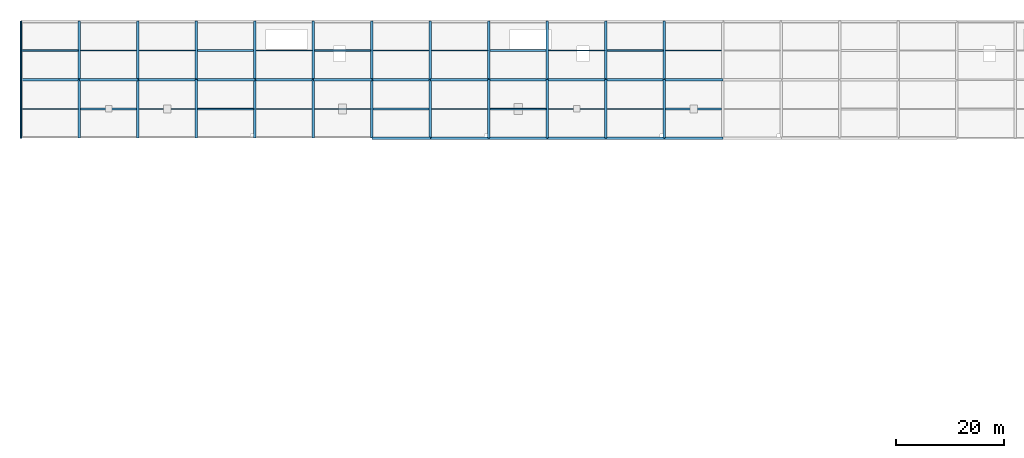
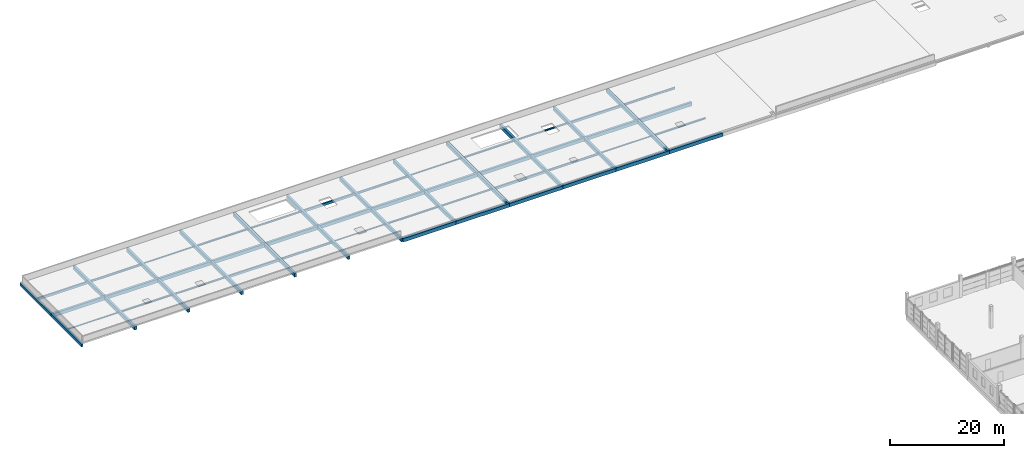
# One storey, part 2 of 24: 66 beams.
"""IFC4 building model written with IfcOpenShell, lengths in metres."""

from ifc_helpers import new_model, si_unit, direction, frame, origin, origin_2d, place, context, subcontext, project, spatial, rectangle, i_section, extrude, material, material_profile, profile_set, type_object, element, save


model = new_model("IFC4")

# Units and contexts
model_context = context("Model", 3, precision=1e-05, world=origin(), true_north=direction((0.0, 1.0)))
body_context = subcontext(model_context, "Body", "Model", "MODEL_VIEW")
ifc_project = project(units=[si_unit("LENGTHUNIT", "METRE"), si_unit("AREAUNIT", "SQUARE_METRE"), si_unit("VOLUMEUNIT", "CUBIC_METRE"), si_unit("PLANEANGLEUNIT", "RADIAN"), si_unit("MASSUNIT", "GRAM", prefix="KILO")], contexts=[model_context])

# Site, building, storey
site_placement = place(None, origin())
site = spatial("IfcSite", under=ifc_project, at=site_placement, CompositionType="ELEMENT")
building_placement = place(site_placement, origin())
building = spatial("IfcBuilding", under=site, at=building_placement, Name="Zwinboog Wholesale Market", CompositionType="ELEMENT")
storey_placement = place(building_placement, frame((0.0, 0.0, 10.080078125)))
storey = spatial("IfcBuildingStorey", under=building, at=storey_placement, Name="L02", CompositionType="ELEMENT", Elevation=10.080078125)

# Beams
ifc_material_1 = material(Name="Precast concrete C45/55", Category="concrete")
ifc_material_profile_1 = material_profile(ifc_material_1, rectangle(XDim=0.449951171875, YDim=0.75, at=origin_2d()), Name="PC 450x750")
ifc_profile_set_1 = profile_set([ifc_material_profile_1], Name="Precast concrete C45/55")
beam_type_1 = type_object("IfcBeamType", Name="BT-04", PredefinedType="BEAM", material=ifc_profile_set_1)
beam_1_placement = place(storey_placement, frame((64.800048828125, 108.0, -0.671142578125), z_axis=(1.0, 0.0, 0.0), x_axis=(0.0, 1.0, 0.0)))
element("IfcBeam", 1, at=beam_1_placement, inside=storey, type_object=beam_type_1, Name="BG-04 (BM-TER-L02-0073)", PredefinedType="BEAM", context=body_context, shape_type="SweptSolid", body=[
    extrude(rectangle(XDim=0.449951171875, YDim=0.75, at=origin_2d()), origin(), (0.0, 0.0, 1.0), 10.800048828125),
])
beam_2_placement = place(storey_placement, frame((75.60009765625, 108.0, -0.671142578125), z_axis=(1.0, 0.0, 0.0), x_axis=(0.0, 1.0, 0.0)))
element("IfcBeam", 2, at=beam_2_placement, inside=storey, type_object=beam_type_1, Name="BG-04 (BM-TER-L02-0074)", PredefinedType="BEAM", context=body_context, shape_type="SweptSolid", body=[
    extrude(rectangle(XDim=0.449951171875, YDim=0.75, at=origin_2d()), origin(), (0.0, 0.0, 1.0), 10.7998046875),
])
for number, where, z_axis, x_axis, name in (
    (3, (86.39990234375, 108.0, -0.671142578125), (1.0, 0.0, 0.0), (0.0, 1.0, 0.0), "BG-04 (BM-TER-L02-0075)"),
    (4, (97.199951171875, 108.0, -0.649169921875), (1.0, 0.0, 0.0), (0.0, 1.0, 0.0), "BG-04 (BM-TER-L02-0076)"),
    (5, (108.0, 108.0, -0.671142578125), (1.0, 0.0, 0.0), (0.0, 1.0, 0.0), "BG-04 (BM-TER-L02-0077)"),
    (6, (118.800048828125, 108.0, -0.671142578125), (1.0, 0.0, 0.0), (0.0, 1.0, 0.0), "BG-04 (BM-TER-L02-0078)"),
    (7, (0.0, 118.800048828125, -0.649169921875), (1.0, 0.0, 0.0), (0.0, 1.0, 0.0), "BG-04 (BM-TER-L02-0087)"),
    (8, (10.800048828125, 118.800048828125, -0.649169921875), (1.0, 0.0, 0.0), (0.0, 1.0, 0.0), "BG-04 (BM-TER-L02-0088)"),
):
    element("IfcBeam", number, at=place(storey_placement, frame(where, z_axis=z_axis, x_axis=x_axis)), inside=storey, type_object=beam_type_1, Name=name, PredefinedType="BEAM", context=body_context, shape_type="SweptSolid", body=[
        extrude(rectangle(XDim=0.449951171875, YDim=0.75, at=origin_2d()), origin(), (0.0, 0.0, 1.0), 10.800048828125),
    ])
beam_3_placement = place(storey_placement, frame((21.60009765625, 118.800048828125, -0.649169921875), z_axis=(1.0, 0.0, 0.0), x_axis=(0.0, 1.0, 0.0)))
element("IfcBeam", 9, at=beam_3_placement, inside=storey, type_object=beam_type_1, Name="BG-04 (BM-TER-L02-0089)", PredefinedType="BEAM", context=body_context, shape_type="SweptSolid", body=[
    extrude(rectangle(XDim=0.449951171875, YDim=0.75, at=origin_2d()), origin(), (0.0, 0.0, 1.0), 10.7998046875),
])
for number, where, z_axis, x_axis, name in (
    (10, (32.39990234375, 118.800048828125, -0.671142578125), (1.0, 0.0, 0.0), (0.0, 1.0, 0.0), "BG-04 (BM-TER-L02-0090)"),
    (11, (43.199951171875, 118.800048828125, -0.671142578125), (1.0, 0.0, 0.0), (0.0, 1.0, 0.0), "BG-04 (BM-TER-L02-0091)"),
    (12, (54.0, 118.800048828125, -0.671142578125), (1.0, 0.0, 0.0), (0.0, 1.0, 0.0), "BG-04 (BM-TER-L02-0092)"),
    (13, (64.800048828125, 118.800048828125, -0.671142578125), (1.0, 0.0, 0.0), (0.0, 1.0, 0.0), "BG-04 (BM-TER-L02-0093)"),
):
    element("IfcBeam", number, at=place(storey_placement, frame(where, z_axis=z_axis, x_axis=x_axis)), inside=storey, type_object=beam_type_1, Name=name, PredefinedType="BEAM", context=body_context, shape_type="SweptSolid", body=[
        extrude(rectangle(XDim=0.449951171875, YDim=0.75, at=origin_2d()), origin(), (0.0, 0.0, 1.0), 10.800048828125),
    ])
beam_4_placement = place(storey_placement, frame((75.60009765625, 118.800048828125, -0.671142578125), z_axis=(1.0, 0.0, 0.0), x_axis=(0.0, 1.0, 0.0)))
element("IfcBeam", 14, at=beam_4_placement, inside=storey, type_object=beam_type_1, Name="BG-04 (BM-TER-L02-0094)", PredefinedType="BEAM", context=body_context, shape_type="SweptSolid", body=[
    extrude(rectangle(XDim=0.449951171875, YDim=0.75, at=origin_2d()), origin(), (0.0, 0.0, 1.0), 10.7998046875),
])
for number, where, z_axis, x_axis, name in (
    (15, (86.39990234375, 118.800048828125, -0.671142578125), (1.0, 0.0, 0.0), (0.0, 1.0, 0.0), "BG-04 (BM-TER-L02-0095)"),
    (16, (97.199951171875, 118.800048828125, -0.649169921875), (1.0, 0.0, 0.0), (0.0, 1.0, 0.0), "BG-04 (BM-TER-L02-0096)"),
    (17, (108.0, 118.800048828125, -0.671142578125), (1.0, 0.0, 0.0), (0.0, 1.0, 0.0), "BG-04 (BM-TER-L02-0097)"),
    (18, (118.800048828125, 118.800048828125, -0.671142578125), (1.0, 0.0, 0.0), (0.0, 1.0, 0.0), "BG-04 (BM-TER-L02-0098)"),
    (19, (10.800048828125, 108.0, -0.649169921875), (0.0, 1.0, 0.0), (-1.0, 0.0, 0.0), "BG-04 (BM-TER-L02-0129)"),
    (20, (10.800048828125, 118.800048828125, -0.649169921875), (0.0, 1.0, 0.0), (-1.0, 0.0, 0.0), "BG-04 (BM-TER-L02-0130)"),
    (21, (21.60009765625, 108.0, -0.649169921875), (0.0, 1.0, 0.0), (-1.0, 0.0, 0.0), "BG-04 (BM-TER-L02-0131)"),
    (22, (21.60009765625, 118.800048828125, -0.649169921875), (0.0, 1.0, 0.0), (-1.0, 0.0, 0.0), "BG-04 (BM-TER-L02-0132)"),
    (23, (32.39990234375, 108.0, -0.649169921875), (0.0, 1.0, 0.0), (-1.0, 0.0, 0.0), "BG-04 (BM-TER-L02-0133)"),
    (24, (32.39990234375, 118.800048828125, -0.649169921875), (0.0, 1.0, 0.0), (-1.0, 0.0, 0.0), "BG-04 (BM-TER-L02-0134)"),
    (25, (43.199951171875, 108.0, -0.671142578125), (0.0, 1.0, 0.0), (-1.0, 0.0, 0.0), "BG-04 (BM-TER-L02-0135)"),
    (26, (43.199951171875, 118.800048828125, -0.671142578125), (0.0, 1.0, 0.0), (-1.0, 0.0, 0.0), "BG-04 (BM-TER-L02-0136)"),
    (27, (54.0, 108.0, -0.671142578125), (0.0, 1.0, 0.0), (-1.0, 0.0, 0.0), "BG-04 (BM-TER-L02-0137)"),
    (28, (54.0, 118.800048828125, -0.671142578125), (0.0, 1.0, 0.0), (-1.0, 0.0, 0.0), "BG-04 (BM-TER-L02-0138)"),
    (29, (64.800048828125, 108.0, -0.671142578125), (0.0, 1.0, 0.0), (-1.0, 0.0, 0.0), "BG-04 (BM-TER-L02-0139)"),
    (30, (64.800048828125, 118.800048828125, -0.671142578125), (0.0, 1.0, 0.0), (-1.0, 0.0, 0.0), "BG-04 (BM-TER-L02-0140)"),
    (31, (75.60009765625, 108.0, -0.671142578125), (0.0, 1.0, 0.0), (-1.0, 0.0, 0.0), "BG-04 (BM-TER-L02-0141)"),
    (32, (75.60009765625, 118.800048828125, -0.671142578125), (0.0, 1.0, 0.0), (-1.0, 0.0, 0.0), "BG-04 (BM-TER-L02-0142)"),
    (33, (86.39990234375, 108.0, -0.671142578125), (0.0, 1.0, 0.0), (-1.0, 0.0, 0.0), "BG-04 (BM-TER-L02-0143)"),
    (34, (86.39990234375, 118.800048828125, -0.671142578125), (0.0, 1.0, 0.0), (-1.0, 0.0, 0.0), "BG-04 (BM-TER-L02-0144)"),
    (35, (97.199951171875, 108.0, -0.649169921875), (0.0, 1.0, 0.0), (-1.0, 0.0, 0.0), "BG-04 (BM-TER-L02-0145)"),
    (36, (97.199951171875, 118.800048828125, -0.649169921875), (0.0, 1.0, 0.0), (-1.0, 0.0, 0.0), "BG-04 (BM-TER-L02-0146)"),
    (37, (108.0, 108.0, -0.649169921875), (0.0, 1.0, 0.0), (-1.0, 0.0, 0.0), "BG-04 (BM-TER-L02-0147)"),
    (38, (108.0, 118.800048828125, -0.649169921875), (0.0, 1.0, 0.0), (-1.0, 0.0, 0.0), "BG-04 (BM-TER-L02-0148)"),
    (39, (118.800048828125, 108.0, -0.671142578125), (0.0, 1.0, 0.0), (-1.0, 0.0, 0.0), "BG-04 (BM-TER-L02-0149)"),
    (40, (118.800048828125, 118.800048828125, -0.671142578125), (0.0, 1.0, 0.0), (-1.0, 0.0, 0.0), "BG-04 (BM-TER-L02-0150)"),
):
    element("IfcBeam", number, at=place(storey_placement, frame(where, z_axis=z_axis, x_axis=x_axis)), inside=storey, type_object=beam_type_1, Name=name, PredefinedType="BEAM", context=body_context, shape_type="SweptSolid", body=[
        extrude(rectangle(XDim=0.449951171875, YDim=0.75, at=origin_2d()), origin(), (0.0, 0.0, 1.0), 10.800048828125),
    ])
ifc_material_profile_2 = material_profile(ifc_material_1, rectangle(XDim=0.300048828125, YDim=0.60009765625, at=origin_2d()), Name="PC 300x600")
ifc_profile_set_2 = profile_set([ifc_material_profile_2], Name="Precast concrete C45/55")
beam_type_2 = type_object("IfcBeamType", Name="BT-09", PredefinedType="SPANDREL", material=ifc_profile_set_2)
for number, where, z_axis, x_axis, name in (
    (41, (0.0, 108.0, -0.573974609375), (0.0, 1.0, 0.0), (-1.0, 0.0, 0.0), "SP-02 (BM-TER-L02-0127)"),
    (42, (0.0, 118.800048828125, -0.573974609375), (0.0, 1.0, 0.0), (-1.0, 0.0, 0.0), "SP-02 (BM-TER-L02-0128)"),
):
    element("IfcBeam", number, at=place(storey_placement, frame(where, z_axis=z_axis, x_axis=x_axis)), inside=storey, type_object=beam_type_2, Name=name, PredefinedType="SPANDREL", context=body_context, shape_type="SweptSolid", body=[
        extrude(rectangle(XDim=0.300048828125, YDim=0.60009765625, at=origin_2d()), origin(), (0.0, 0.0, 1.0), 10.800048828125),
    ])
ifc_material_profile_3 = material_profile(ifc_material_1, rectangle(XDim=0.300048828125, YDim=0.5, at=origin_2d()), Name="PC 300x500")
ifc_profile_set_3 = profile_set([ifc_material_profile_3], Name="Precast concrete C45/55")
beam_type_3 = type_object("IfcBeamType", Name="BT-10", PredefinedType="JOIST", material=ifc_profile_set_3)
beam_5_placement = place(storey_placement, frame((0.14990234375, 124.199951171875, -0.524169921875), z_axis=(1.0, 0.0, 0.0), x_axis=(0.0, 1.0, 0.0)))
element("IfcBeam", 43, at=beam_5_placement, inside=storey, type_object=beam_type_3, Name="BJ-01 (BM-TER-L02-0176)", PredefinedType="JOIST", context=body_context, shape_type="SweptSolid", body=[
    extrude(rectangle(XDim=0.300048828125, YDim=0.5, at=origin_2d()), origin(), (0.0, 0.0, 1.0), 10.425048828125),
])
beam_6_placement = place(storey_placement, frame((32.625, 113.39990234375, -0.546142578125), z_axis=(1.0, 0.0, 0.0), x_axis=(0.0, 1.0, 0.0)))
element("IfcBeam", 44, at=beam_6_placement, inside=storey, type_object=beam_type_3, Name="BJ-01 (BM-TER-L02-0181)", PredefinedType="JOIST", context=body_context, shape_type="SweptSolid", body=[
    extrude(rectangle(XDim=0.300048828125, YDim=0.5, at=origin_2d()), origin(), (0.0, 0.0, 1.0), 10.35009765625),
])
beam_7_placement = place(storey_placement, frame((54.22509765625, 124.199951171875, -0.546142578125), z_axis=(1.0, 0.0, 0.0), x_axis=(0.0, 1.0, 0.0)))
element("IfcBeam", 45, at=beam_7_placement, inside=storey, type_object=beam_type_3, Name="BJ-01 (BM-TER-L02-0186)", PredefinedType="JOIST", context=body_context, shape_type="SweptSolid", body=[
    extrude(rectangle(XDim=0.300048828125, YDim=0.5, at=origin_2d()), origin(), (0.0, 0.0, 1.0), 10.349853515625),
])
beam_8_placement = place(storey_placement, frame((86.625, 113.39990234375, -0.546142578125), z_axis=(1.0, 0.0, 0.0), x_axis=(0.0, 1.0, 0.0)))
element("IfcBeam", 46, at=beam_8_placement, inside=storey, type_object=beam_type_3, Name="BJ-01 (BM-TER-L02-0191)", PredefinedType="JOIST", context=body_context, shape_type="SweptSolid", body=[
    extrude(rectangle(XDim=0.300048828125, YDim=0.5, at=origin_2d()), origin(), (0.0, 0.0, 1.0), 10.35009765625),
])
beam_9_placement = place(storey_placement, frame((108.22509765625, 124.199951171875, -0.546142578125), z_axis=(1.0, 0.0, 0.0), x_axis=(0.0, 1.0, 0.0)))
element("IfcBeam", 47, at=beam_9_placement, inside=storey, type_object=beam_type_3, Name="BJ-01 (BM-TER-L02-0196)", PredefinedType="JOIST", context=body_context, shape_type="SweptSolid", body=[
    extrude(rectangle(XDim=0.300048828125, YDim=0.5, at=origin_2d()), origin(), (0.0, 0.0, 1.0), 10.349853515625),
])
ifc_material_2 = material(Name="Steel S355", Category="steel")
ifc_material_profile_4 = material_profile(ifc_material_2, i_section(OverallWidth=0.300048828125, OverallDepth=0.2900390625, WebThickness=0.008544921875, FlangeThickness=0.013916015625, FilletRadius=0.027099609375, at=origin_2d()), Name="HEA 300")
ifc_profile_set_4 = profile_set([ifc_material_profile_4], Name="Steel S355")
beam_type_4 = type_object("IfcBeamType", Name="BT-18", PredefinedType="JOIST", material=ifc_profile_set_4)
for number, where, z_axis, x_axis, name in (
    (48, (11.02490234375, 113.39990234375, -0.419189453125), (1.0, 0.0, 0.0), (0.0, 1.0, 0.0), "SJ-01 (BM-TER-L02-0177)"),
    (49, (32.625, 124.199951171875, -0.441162109375), (1.0, 0.0, 0.0), (0.0, 1.0, 0.0), "SJ-01 (BM-TER-L02-0182)"),
    (50, (65.02490234375, 113.39990234375, -0.441162109375), (1.0, 0.0, 0.0), (0.0, 1.0, 0.0), "SJ-01 (BM-TER-L02-0187)"),
    (51, (86.625, 124.199951171875, -0.441162109375), (1.0, 0.0, 0.0), (0.0, 1.0, 0.0), "SJ-01 (BM-TER-L02-0192)"),
    (52, (119.02490234375, 113.39990234375, -0.441162109375), (1.0, 0.0, 0.0), (0.0, 1.0, 0.0), "SJ-01 (BM-TER-L02-0197)"),
):
    element("IfcBeam", number, at=place(storey_placement, frame(where, z_axis=z_axis, x_axis=x_axis)), inside=storey, type_object=beam_type_4, Name=name, PredefinedType="JOIST", context=body_context, shape_type="SweptSolid", body=[
        extrude(i_section(OverallWidth=0.300048828125, OverallDepth=0.2900390625, WebThickness=0.008544921875, FlangeThickness=0.013916015625, FilletRadius=0.027099609375, at=origin_2d()), origin(), (0.0, 0.0, 1.0), 10.35009765625),
    ])
ifc_material_profile_5 = material_profile(ifc_material_2, i_section(OverallWidth=0.18994140625, OverallDepth=0.449951171875, WebThickness=0.009521484375, FlangeThickness=0.0146484375, FilletRadius=0.02099609375, at=origin_2d()), Name="IPE 450")
ifc_profile_set_5 = profile_set([ifc_material_profile_5], Name="Steel S355")
beam_type_5 = type_object("IfcBeamType", Name="BT-19", PredefinedType="JOIST", material=ifc_profile_set_5)
beam_10_placement = place(storey_placement, frame((11.02490234375, 124.199951171875, -0.4990234375), z_axis=(1.0, 0.0, 0.0), x_axis=(0.0, 1.0, 0.0)))
element("IfcBeam", 53, at=beam_10_placement, inside=storey, type_object=beam_type_5, Name="SJ-02 (BM-TER-L02-0178)", PredefinedType="JOIST", context=body_context, shape_type="SweptSolid", body=[
    extrude(i_section(OverallWidth=0.18994140625, OverallDepth=0.449951171875, WebThickness=0.009521484375, FlangeThickness=0.0146484375, FilletRadius=0.02099609375, at=origin_2d()), origin(), (0.0, 0.0, 1.0), 10.35009765625),
])
beam_11_placement = place(storey_placement, frame((43.425048828125, 113.39990234375, -0.52099609375), z_axis=(1.0, 0.0, 0.0), x_axis=(0.0, 1.0, 0.0)))
element("IfcBeam", 54, at=beam_11_placement, inside=storey, type_object=beam_type_5, Name="SJ-02 (BM-TER-L02-0183)", PredefinedType="JOIST", context=body_context, shape_type="SweptSolid", body=[
    extrude(i_section(OverallWidth=0.18994140625, OverallDepth=0.449951171875, WebThickness=0.009521484375, FlangeThickness=0.0146484375, FilletRadius=0.02099609375, at=origin_2d()), origin(), (0.0, 0.0, 1.0), 10.349853515625),
])
beam_12_placement = place(storey_placement, frame((65.02490234375, 124.199951171875, -0.52099609375), z_axis=(1.0, 0.0, 0.0), x_axis=(0.0, 1.0, 0.0)))
element("IfcBeam", 55, at=beam_12_placement, inside=storey, type_object=beam_type_5, Name="SJ-02 (BM-TER-L02-0188)", PredefinedType="JOIST", context=body_context, shape_type="SweptSolid", body=[
    extrude(i_section(OverallWidth=0.18994140625, OverallDepth=0.449951171875, WebThickness=0.009521484375, FlangeThickness=0.0146484375, FilletRadius=0.02099609375, at=origin_2d()), origin(), (0.0, 0.0, 1.0), 10.35009765625),
])
beam_13_placement = place(storey_placement, frame((97.425048828125, 113.39990234375, -0.4990234375), z_axis=(1.0, 0.0, 0.0), x_axis=(0.0, 1.0, 0.0)))
element("IfcBeam", 56, at=beam_13_placement, inside=storey, type_object=beam_type_5, Name="SJ-02 (BM-TER-L02-0193)", PredefinedType="JOIST", context=body_context, shape_type="SweptSolid", body=[
    extrude(i_section(OverallWidth=0.18994140625, OverallDepth=0.449951171875, WebThickness=0.009521484375, FlangeThickness=0.0146484375, FilletRadius=0.02099609375, at=origin_2d()), origin(), (0.0, 0.0, 1.0), 10.349853515625),
])
beam_14_placement = place(storey_placement, frame((119.02490234375, 124.199951171875, -0.52099609375), z_axis=(1.0, 0.0, 0.0), x_axis=(0.0, 1.0, 0.0)))
element("IfcBeam", 57, at=beam_14_placement, inside=storey, type_object=beam_type_5, Name="SJ-02 (BM-TER-L02-0198)", PredefinedType="JOIST", context=body_context, shape_type="SweptSolid", body=[
    extrude(i_section(OverallWidth=0.18994140625, OverallDepth=0.449951171875, WebThickness=0.009521484375, FlangeThickness=0.0146484375, FilletRadius=0.02099609375, at=origin_2d()), origin(), (0.0, 0.0, 1.0), 10.35009765625),
])
ifc_material_profile_6 = material_profile(ifc_material_2, i_section(OverallWidth=0.169921875, OverallDepth=0.360107421875, WebThickness=0.008056640625, FlangeThickness=0.0126953125, FilletRadius=0.01806640625, at=origin_2d()), Name="IPE 360")
ifc_profile_set_6 = profile_set([ifc_material_profile_6], Name="Steel S355")
beam_type_6 = type_object("IfcBeamType", Name="BT-20", PredefinedType="JOIST", material=ifc_profile_set_6)
beam_15_placement = place(storey_placement, frame((21.824951171875, 113.39990234375, -0.4541015625), z_axis=(1.0, 0.0, 0.0), x_axis=(0.0, 1.0, 0.0)))
element("IfcBeam", 58, at=beam_15_placement, inside=storey, type_object=beam_type_6, Name="SJ-03 (BM-TER-L02-0179)", PredefinedType="JOIST", context=body_context, shape_type="SweptSolid", body=[
    extrude(i_section(OverallWidth=0.169921875, OverallDepth=0.360107421875, WebThickness=0.008056640625, FlangeThickness=0.0126953125, FilletRadius=0.01806640625, at=origin_2d()), origin(), (0.0, 0.0, 1.0), 10.35009765625),
])
beam_16_placement = place(storey_placement, frame((43.425048828125, 124.199951171875, -0.47607421875), z_axis=(1.0, 0.0, 0.0), x_axis=(0.0, 1.0, 0.0)))
element("IfcBeam", 59, at=beam_16_placement, inside=storey, type_object=beam_type_6, Name="SJ-03 (BM-TER-L02-0184)", PredefinedType="JOIST", context=body_context, shape_type="SweptSolid", body=[
    extrude(i_section(OverallWidth=0.169921875, OverallDepth=0.360107421875, WebThickness=0.008056640625, FlangeThickness=0.0126953125, FilletRadius=0.01806640625, at=origin_2d()), origin(), (0.0, 0.0, 1.0), 10.349853515625),
])
beam_17_placement = place(storey_placement, frame((75.824951171875, 113.39990234375, -0.47607421875), z_axis=(1.0, 0.0, 0.0), x_axis=(0.0, 1.0, 0.0)))
element("IfcBeam", 60, at=beam_17_placement, inside=storey, type_object=beam_type_6, Name="SJ-03 (BM-TER-L02-0189)", PredefinedType="JOIST", context=body_context, shape_type="SweptSolid", body=[
    extrude(i_section(OverallWidth=0.169921875, OverallDepth=0.360107421875, WebThickness=0.008056640625, FlangeThickness=0.0126953125, FilletRadius=0.01806640625, at=origin_2d()), origin(), (0.0, 0.0, 1.0), 10.35009765625),
])
beam_18_placement = place(storey_placement, frame((97.425048828125, 124.199951171875, -0.4541015625), z_axis=(1.0, 0.0, 0.0), x_axis=(0.0, 1.0, 0.0)))
element("IfcBeam", 61, at=beam_18_placement, inside=storey, type_object=beam_type_6, Name="SJ-03 (BM-TER-L02-0194)", PredefinedType="JOIST", context=body_context, shape_type="SweptSolid", body=[
    extrude(i_section(OverallWidth=0.169921875, OverallDepth=0.360107421875, WebThickness=0.008056640625, FlangeThickness=0.0126953125, FilletRadius=0.01806640625, at=origin_2d()), origin(), (0.0, 0.0, 1.0), 10.349853515625),
])
ifc_material_profile_7 = material_profile(ifc_material_2, i_section(OverallWidth=0.135009765625, OverallDepth=0.27001953125, WebThickness=0.006591796875, FlangeThickness=0.01025390625, FilletRadius=0.014892578125, at=origin_2d()), Name="IPE 270")
ifc_profile_set_7 = profile_set([ifc_material_profile_7], Name="Steel S355")
beam_type_7 = type_object("IfcBeamType", Name="BT-21", PredefinedType="JOIST", material=ifc_profile_set_7)
beam_19_placement = place(storey_placement, frame((0.14990234375, 113.39990234375, -0.4091796875), z_axis=(1.0, 0.0, 0.0), x_axis=(0.0, 1.0, 0.0)))
element("IfcBeam", 62, at=beam_19_placement, inside=storey, type_object=beam_type_7, Name="SJ-04 (BM-TER-L02-0175)", PredefinedType="JOIST", context=body_context, shape_type="SweptSolid", body=[
    extrude(i_section(OverallWidth=0.135009765625, OverallDepth=0.27001953125, WebThickness=0.006591796875, FlangeThickness=0.01025390625, FilletRadius=0.014892578125, at=origin_2d()), origin(), (0.0, 0.0, 1.0), 10.425048828125),
])
beam_20_placement = place(storey_placement, frame((21.824951171875, 124.199951171875, -0.4091796875), z_axis=(1.0, 0.0, 0.0), x_axis=(0.0, 1.0, 0.0)))
element("IfcBeam", 63, at=beam_20_placement, inside=storey, type_object=beam_type_7, Name="SJ-04 (BM-TER-L02-0180)", PredefinedType="JOIST", context=body_context, shape_type="SweptSolid", body=[
    extrude(i_section(OverallWidth=0.135009765625, OverallDepth=0.27001953125, WebThickness=0.006591796875, FlangeThickness=0.01025390625, FilletRadius=0.014892578125, at=origin_2d()), origin(), (0.0, 0.0, 1.0), 10.35009765625),
])
beam_21_placement = place(storey_placement, frame((54.22509765625, 113.39990234375, -0.43115234375), z_axis=(1.0, 0.0, 0.0), x_axis=(0.0, 1.0, 0.0)))
element("IfcBeam", 64, at=beam_21_placement, inside=storey, type_object=beam_type_7, Name="SJ-04 (BM-TER-L02-0185)", PredefinedType="JOIST", context=body_context, shape_type="SweptSolid", body=[
    extrude(i_section(OverallWidth=0.135009765625, OverallDepth=0.27001953125, WebThickness=0.006591796875, FlangeThickness=0.01025390625, FilletRadius=0.014892578125, at=origin_2d()), origin(), (0.0, 0.0, 1.0), 10.349853515625),
])
beam_22_placement = place(storey_placement, frame((75.824951171875, 124.199951171875, -0.43115234375), z_axis=(1.0, 0.0, 0.0), x_axis=(0.0, 1.0, 0.0)))
element("IfcBeam", 65, at=beam_22_placement, inside=storey, type_object=beam_type_7, Name="SJ-04 (BM-TER-L02-0190)", PredefinedType="JOIST", context=body_context, shape_type="SweptSolid", body=[
    extrude(i_section(OverallWidth=0.135009765625, OverallDepth=0.27001953125, WebThickness=0.006591796875, FlangeThickness=0.01025390625, FilletRadius=0.014892578125, at=origin_2d()), origin(), (0.0, 0.0, 1.0), 10.35009765625),
])
beam_23_placement = place(storey_placement, frame((108.22509765625, 113.39990234375, -0.43115234375), z_axis=(1.0, 0.0, 0.0), x_axis=(0.0, 1.0, 0.0)))
element("IfcBeam", 66, at=beam_23_placement, inside=storey, type_object=beam_type_7, Name="SJ-04 (BM-TER-L02-0195)", PredefinedType="JOIST", context=body_context, shape_type="SweptSolid", body=[
    extrude(i_section(OverallWidth=0.135009765625, OverallDepth=0.27001953125, WebThickness=0.006591796875, FlangeThickness=0.01025390625, FilletRadius=0.014892578125, at=origin_2d()), origin(), (0.0, 0.0, 1.0), 10.349853515625),
])

save(model, "model.ifc")
